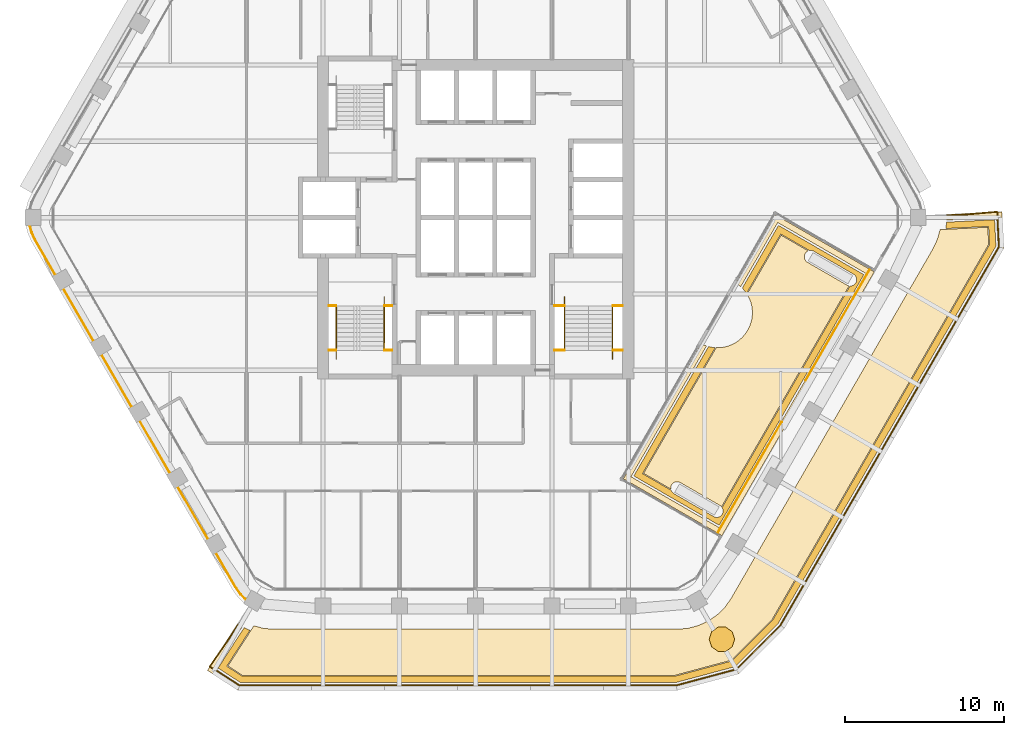
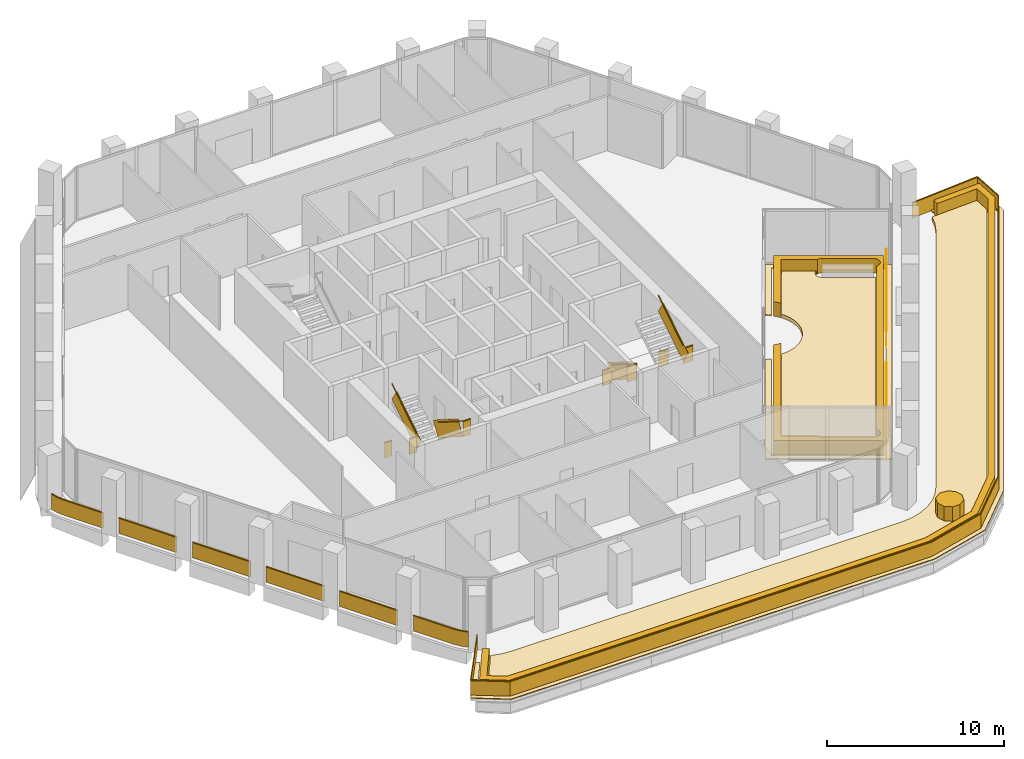
# One storey, part 16 of 17: 7 coverings, 7 railings.
"""IFC4 building model written with IfcOpenShell, lengths in metres."""

from ifc_helpers import new_model, si_unit, direction, frame, frame_2d, origin, origin_2d, place, context, subcontext, project, spatial, polyline, rectangle, outline, extrude, material, layer, layer_set, type_object, element, save


model = new_model("IFC4")

# Units and contexts
model_context = context("Model", 3, precision=1e-05, world=origin(), true_north=direction((0.0, 1.0)))
body_context = subcontext(model_context, "Body", "Model", "MODEL_VIEW")
ifc_project = project(units=[si_unit("LENGTHUNIT", "METRE"), si_unit("AREAUNIT", "SQUARE_METRE"), si_unit("VOLUMEUNIT", "CUBIC_METRE"), si_unit("PLANEANGLEUNIT", "RADIAN"), si_unit("MASSUNIT", "GRAM", prefix="KILO")], contexts=[model_context])

# Site, building, storey
site_placement = place(None, origin())
site = spatial("IfcSite", under=ifc_project, at=site_placement, CompositionType="ELEMENT")
building_placement = place(site_placement, origin())
building = spatial("IfcBuilding", under=site, at=building_placement, Name="Kolab Exchange Tower", CompositionType="ELEMENT")
storey_placement = place(building_placement, frame((0.0, 0.0, 197.300048828125)))
storey = spatial("IfcBuildingStorey", under=building, at=storey_placement, Name="L42", CompositionType="ELEMENT", Elevation=197.300048828125)

# Covering
ifc_material_1 = material(Name="Flowering shrub planting", Category="soil")
ifc_layer_1 = layer(ifc_material_1, 1.0)
ifc_layer_set_1 = layer_set([ifc_layer_1], Name="Flowering shrub planting")
covering_type_1 = type_object("IfcCoveringType", Name="FLOWERING SHRUB PLANTING", PredefinedType="USERDEFINED", material=ifc_layer_set_1)
covering_1_placement = place(storey_placement, frame((0.0, 0.0, 0.25)))
element("IfcCovering", 1, at=covering_1_placement, inside=storey, type_object=covering_type_1, Name="Flowering shrub", ObjectType="PLANTING", PredefinedType="USERDEFINED", context=body_context, shape_type="SweptSolid", body=[
    extrude(outline(polyline([(16.290283203125, -26.52294921875), (16.137451171875, -26.052734375), (15.7373046875, -25.761962890625), (15.242919921875, -25.761962890625), (14.843017578125, -26.052734375), (14.690185546875, -26.52294921875), (14.843017578125, -26.9931640625), (15.242919921875, -27.28369140625), (15.7373046875, -27.28369140625), (16.137451171875, -26.9931640625), (16.290283203125, -26.52294921875)])), origin(), (0.0, 0.0, 1.0), 1.0),
])

# Railings
ifc_material_2 = material(Name="Stainless steel 316", Category="steel")
railing_type_1 = type_object("IfcRailingType", Name="GUARD 1100", PredefinedType="GUARDRAIL", material=ifc_material_2)
railing_1_placement = place(storey_placement, frame((-9.25, -5.550048828125, 0.0)))
element("IfcRailing", 2, at=railing_1_placement, inside=storey, type_object=railing_type_1, Name="Guard ST3", PredefinedType="GUARDRAIL", context=body_context, shape_type="SweptSolid", body=[
    extrude(rectangle(XDim=0.05, YDim=0.05, at=origin_2d()), frame((0.0, 0.0, 1.0751953125), z_axis=(1.0, 0.0, 0.0), x_axis=(0.0, 1.0, 0.0)), (0.0, 0.0, 1.0), 0.489990234375),
    extrude(rectangle(XDim=0.012, YDim=1.05009765625, at=frame_2d((0.0, 0.525146484375))), frame((0.0, 0.0, 0.0), z_axis=(1.0, 0.0, 0.0), x_axis=(0.0, 1.0, 0.0)), (0.0, 0.0, 1.0), 0.489990234375),
    extrude(rectangle(XDim=0.05, YDim=0.05, at=origin_2d()), frame((3.510009765625, 0.0, 1.0751953125), z_axis=(1.0, 0.0, 0.0), x_axis=(0.0, 1.0, 0.0)), (0.0, 0.0, 1.0), 0.489990234375),
    extrude(rectangle(XDim=0.012, YDim=1.05009765625, at=frame_2d((0.0, 0.525146484375))), frame((3.510009765625, 0.0, 0.0), z_axis=(1.0, 0.0, 0.0), x_axis=(0.0, 1.0, 0.0)), (0.0, 0.0, 1.0), 0.489990234375),
    extrude(rectangle(XDim=0.05, YDim=0.05, at=origin_2d()), frame((0.0, -2.800048828125, 3.025146484375), z_axis=(1.0, 0.0, 0.0), x_axis=(0.0, 1.0, 0.0)), (0.0, 0.0, 1.0), 0.489990234375),
    extrude(rectangle(XDim=0.012, YDim=1.05009765625, at=frame_2d((0.0, 0.525146484375))), frame((0.0, -2.800048828125, 1.949951171875), z_axis=(1.0, 0.0, 0.0), x_axis=(0.0, 1.0, 0.0)), (0.0, 0.0, 1.0), 0.489990234375),
    extrude(rectangle(XDim=0.05, YDim=0.05, at=origin_2d()), frame((3.510009765625, -2.800048828125, 3.025146484375), z_axis=(1.0, 0.0, 0.0), x_axis=(0.0, 1.0, 0.0)), (0.0, 0.0, 1.0), 0.489990234375),
    extrude(rectangle(XDim=0.012, YDim=1.05009765625, at=frame_2d((0.0, 0.525146484375))), frame((3.510009765625, -2.800048828125, 1.949951171875), z_axis=(1.0, 0.0, 0.0), x_axis=(0.0, 1.0, 0.0)), (0.0, 0.0, 1.0), 0.489990234375),
])
railing_2_placement = place(storey_placement, frame((-5.739990234375, -5.550048828125, 0.17724609375)))
element("IfcRailing", 3, at=railing_2_placement, inside=storey, type_object=railing_type_1, Name="Handrail guard ST3", PredefinedType="GUARDRAIL", context=body_context, shape_type="SweptSolid", body=[
    extrude(rectangle(XDim=0.05, YDim=0.05, at=origin_2d()), frame((0.0, 0.0, 1.0751953125), z_axis=(0.0, -0.844908973607, 0.534910110503), x_axis=(1.0, 0.0, 0.0)), (0.0, 0.0, 1.0), 3.31396484375),
    extrude(rectangle(XDim=0.012, YDim=1.05009765625, at=frame_2d((0.0, 0.525146484375))), frame((0.0, 0.0, 0.0), z_axis=(0.0, -0.844908973607, 0.534910110503), x_axis=(1.0, 0.0, 0.0)), (0.0, 0.0, 1.0), 3.31396484375),
    extrude(rectangle(XDim=0.05, YDim=0.05, at=origin_2d()), frame((-3.02001953125, -2.800048828125, 3.025146484375), z_axis=(0.0, 0.844908973607, 0.534910110503), x_axis=(-1.0, 0.0, 0.0)), (0.0, 0.0, 1.0), 3.31396484375),
    extrude(rectangle(XDim=0.012, YDim=1.05009765625, at=frame_2d((0.0, 0.525146484375))), frame((-3.02001953125, -2.800048828125, 1.949951171875), z_axis=(0.0, 0.844908973607, 0.534910110503), x_axis=(-1.0, 0.0, 0.0)), (0.0, 0.0, 1.0), 3.31396484375),
])
railing_3_placement = place(storey_placement, frame((4.949951171875, -5.550048828125, 0.0)))
element("IfcRailing", 4, at=railing_3_placement, inside=storey, type_object=railing_type_1, Name="Guard ST2", PredefinedType="GUARDRAIL", context=body_context, shape_type="SweptSolid", body=[
    extrude(rectangle(XDim=0.05, YDim=0.05, at=origin_2d()), frame((0.0, 0.0, 1.0751953125), z_axis=(1.0, 0.0, 0.0), x_axis=(0.0, 1.0, 0.0)), (0.0, 0.0, 1.0), 0.64013671875),
    extrude(rectangle(XDim=0.012, YDim=1.05009765625, at=frame_2d((0.0, 0.525146484375))), frame((0.0, 0.0, 0.0), z_axis=(1.0, 0.0, 0.0), x_axis=(0.0, 1.0, 0.0)), (0.0, 0.0, 1.0), 0.64013671875),
    extrude(rectangle(XDim=0.05, YDim=0.05, at=origin_2d()), frame((3.66015625, 0.0, 1.0751953125), z_axis=(1.0, 0.0, 0.0), x_axis=(0.0, 1.0, 0.0)), (0.0, 0.0, 1.0), 0.639892578125),
    extrude(rectangle(XDim=0.012, YDim=1.05009765625, at=frame_2d((0.0, 0.525146484375))), frame((3.66015625, 0.0, 0.0), z_axis=(1.0, 0.0, 0.0), x_axis=(0.0, 1.0, 0.0)), (0.0, 0.0, 1.0), 0.639892578125),
    extrude(rectangle(XDim=0.05, YDim=0.05, at=origin_2d()), frame((0.0, -2.800048828125, 3.025146484375), z_axis=(1.0, 0.0, 0.0), x_axis=(0.0, 1.0, 0.0)), (0.0, 0.0, 1.0), 0.64013671875),
    extrude(rectangle(XDim=0.012, YDim=1.05009765625, at=frame_2d((0.0, 0.525146484375))), frame((0.0, -2.800048828125, 1.949951171875), z_axis=(1.0, 0.0, 0.0), x_axis=(0.0, 1.0, 0.0)), (0.0, 0.0, 1.0), 0.64013671875),
    extrude(rectangle(XDim=0.05, YDim=0.05, at=origin_2d()), frame((3.66015625, -2.800048828125, 3.025146484375), z_axis=(1.0, 0.0, 0.0), x_axis=(0.0, 1.0, 0.0)), (0.0, 0.0, 1.0), 0.639892578125),
    extrude(rectangle(XDim=0.012, YDim=1.05009765625, at=frame_2d((0.0, 0.525146484375))), frame((3.66015625, -2.800048828125, 1.949951171875), z_axis=(1.0, 0.0, 0.0), x_axis=(0.0, 1.0, 0.0)), (0.0, 0.0, 1.0), 0.639892578125),
])
railing_4_placement = place(storey_placement, frame((5.590087890625, -5.550048828125, 0.17724609375)))
element("IfcRailing", 5, at=railing_4_placement, inside=storey, type_object=railing_type_1, Name="Handrail guard ST2", PredefinedType="GUARDRAIL", context=body_context, shape_type="SweptSolid", body=[
    extrude(rectangle(XDim=0.05, YDim=0.05, at=origin_2d()), frame((0.0, 0.0, 1.0751953125), z_axis=(0.0, -0.844908973607, 0.534910110503), x_axis=(1.0, 0.0, 0.0)), (0.0, 0.0, 1.0), 3.31396484375),
    extrude(rectangle(XDim=0.012, YDim=1.05009765625, at=frame_2d((0.0, 0.525146484375))), frame((0.0, 0.0, 0.0), z_axis=(0.0, -0.844908973607, 0.534910110503), x_axis=(1.0, 0.0, 0.0)), (0.0, 0.0, 1.0), 3.31396484375),
    extrude(rectangle(XDim=0.05, YDim=0.05, at=origin_2d()), frame((3.02001953125, -2.800048828125, 3.025146484375), z_axis=(0.0, 0.844908973607, 0.534910110503), x_axis=(-1.0, 0.0, 0.0)), (0.0, 0.0, 1.0), 3.31396484375),
    extrude(rectangle(XDim=0.012, YDim=1.05009765625, at=frame_2d((0.0, 0.525146484375))), frame((3.02001953125, -2.800048828125, 1.949951171875), z_axis=(0.0, 0.844908973607, 0.534910110503), x_axis=(-1.0, 0.0, 0.0)), (0.0, 0.0, 1.0), 3.31396484375),
])
ifc_material_3 = material(Name="Steel S235", Category="steel")
railing_type_2 = type_object("IfcRailingType", Name="GUARD 1100 GLASS BALUSTRADE AND STEEL TOP RAIL", PredefinedType="GUARDRAIL", material=ifc_material_3)
railing_5_placement = place(storey_placement, frame((-28.038818359375, -0.49755859375, 0.0)))
element("IfcRailing", 6, at=railing_5_placement, inside=storey, type_object=railing_type_2, Name="Guard", PredefinedType="GUARDRAIL", context=body_context, shape_type="SweptSolid", body=[
    extrude(rectangle(XDim=0.05, YDim=0.05, at=origin_2d()), frame((0.0, 0.0, 1.0751953125), z_axis=(0.25865627591, -0.965969425465, 0.0), x_axis=(0.965969425465, 0.25865627591, 0.0)), (0.0, 0.0, 1.0), 0.458740234375),
    extrude(rectangle(XDim=0.012, YDim=1.05009765625, at=frame_2d((0.0, 0.525146484375))), frame((0.0, 0.0, 0.0), z_axis=(0.25865627591, -0.965969425465, 0.0), x_axis=(0.965969425465, 0.25865627591, 0.0)), (0.0, 0.0, 1.0), 0.458740234375),
    extrude(rectangle(XDim=0.05, YDim=0.05, at=origin_2d()), frame((0.11865234375, -0.443115234375, 1.0751953125), z_axis=(0.422801802984, -0.906222177721, 0.0), x_axis=(0.906222177721, 0.422801802984, 0.0)), (0.0, 0.0, 1.0), 0.479248046875),
    extrude(rectangle(XDim=0.012, YDim=1.05009765625, at=frame_2d((0.0, 0.525146484375))), frame((0.11865234375, -0.443115234375, 0.0), z_axis=(0.422801802984, -0.906222177721, 0.0), x_axis=(0.906222177721, 0.422801802984, 0.0)), (0.0, 0.0, 1.0), 0.479248046875),
    extrude(rectangle(XDim=0.05, YDim=0.05, at=origin_2d()), frame((0.3212890625, -0.87744140625, 1.0751953125), z_axis=(0.499994038704, -0.866028845513, 0.0), x_axis=(0.866028845513, 0.499994038704, 0.0)), (0.0, 0.0, 1.0), 2.56787109375),
    extrude(rectangle(XDim=0.012, YDim=1.05009765625, at=frame_2d((0.0, 0.525146484375))), frame((0.3212890625, -0.87744140625, 0.0), z_axis=(0.499994038704, -0.866028845513, 0.0), x_axis=(0.866028845513, 0.499994038704, 0.0)), (0.0, 0.0, 1.0), 2.56787109375),
    extrude(rectangle(XDim=0.05, YDim=0.05, at=origin_2d()), frame((2.105224609375, -3.96728515625, 1.0751953125), z_axis=(0.500015340139, -0.86601654697, 0.0), x_axis=(0.86601654697, 0.500015340139, 0.0)), (0.0, 0.0, 1.0), 3.80029296875),
    extrude(rectangle(XDim=0.012, YDim=1.05009765625, at=frame_2d((0.0, 0.525146484375))), frame((2.105224609375, -3.96728515625, 0.0), z_axis=(0.500015340139, -0.86601654697, 0.0), x_axis=(0.86601654697, 0.500015340139, 0.0)), (0.0, 0.0, 1.0), 3.80029296875),
    extrude(rectangle(XDim=0.05, YDim=0.05, at=origin_2d()), frame((4.50537109375, -8.124267578125, 1.0751953125), z_axis=(0.499967155389, -0.866044365799, 0.0), x_axis=(0.866044365799, 0.499967155389, 0.0)), (0.0, 0.0, 1.0), 3.800048828125),
    extrude(rectangle(XDim=0.012, YDim=1.05009765625, at=frame_2d((0.0, 0.525146484375))), frame((4.50537109375, -8.124267578125, 0.0), z_axis=(0.499967155389, -0.866044365799, 0.0), x_axis=(0.866044365799, 0.499967155389, 0.0)), (0.0, 0.0, 1.0), 3.800048828125),
    extrude(rectangle(XDim=0.05, YDim=0.05, at=origin_2d()), frame((6.9052734375, -12.28125, 1.0751953125), z_axis=(0.500043160704, -0.866000483506, 0.0), x_axis=(0.866000483506, 0.500043160704, 0.0)), (0.0, 0.0, 1.0), 3.800048828125),
    extrude(rectangle(XDim=0.012, YDim=1.05009765625, at=frame_2d((0.0, 0.525146484375))), frame((6.9052734375, -12.28125, 0.0), z_axis=(0.500043160704, -0.866000483506, 0.0), x_axis=(0.866000483506, 0.500043160704, 0.0)), (0.0, 0.0, 1.0), 3.800048828125),
    extrude(rectangle(XDim=0.05, YDim=0.05, at=origin_2d()), frame((9.305419921875, -16.438232421875, 1.0751953125), z_axis=(0.499994975061, -0.866028304915, 0.0), x_axis=(0.866028304915, 0.499994975061, 0.0)), (0.0, 0.0, 1.0), 3.7998046875),
    extrude(rectangle(XDim=0.012, YDim=1.05009765625, at=frame_2d((0.0, 0.525146484375))), frame((9.305419921875, -16.438232421875, 0.0), z_axis=(0.499994975061, -0.866028304915, 0.0), x_axis=(0.866028304915, 0.499994975061, 0.0)), (0.0, 0.0, 1.0), 3.7998046875),
    extrude(rectangle(XDim=0.05, YDim=0.05, at=origin_2d()), frame((11.705322265625, -20.594970703125, 1.0751953125), z_axis=(0.499952873616, -0.866052610505, 0.0), x_axis=(0.866052610505, 0.499952873616, 0.0)), (0.0, 0.0, 1.0), 2.568115234375),
    extrude(rectangle(XDim=0.012, YDim=1.05009765625, at=frame_2d((0.0, 0.525146484375))), frame((11.705322265625, -20.594970703125, 0.0), z_axis=(0.499952873616, -0.866052610505, 0.0), x_axis=(0.866052610505, 0.499952873616, 0.0)), (0.0, 0.0, 1.0), 2.568115234375),
    extrude(rectangle(XDim=0.05, YDim=0.05, at=origin_2d()), frame((12.9892578125, -22.819091796875, 1.0751953125), z_axis=(0.573599091554, -0.819136180478, 0.0), x_axis=(0.819136180478, 0.573599091554, 0.0)), (0.0, 0.0, 1.0), 0.479248046875),
    extrude(rectangle(XDim=0.012, YDim=1.05009765625, at=frame_2d((0.0, 0.525146484375))), frame((12.9892578125, -22.819091796875, 0.0), z_axis=(0.573599091554, -0.819136180478, 0.0), x_axis=(0.819136180478, 0.573599091554, 0.0)), (0.0, 0.0, 1.0), 0.479248046875),
    extrude(rectangle(XDim=0.05, YDim=0.05, at=origin_2d()), frame((13.26416015625, -23.211669921875, 1.0751953125), z_axis=(0.70737286085, -0.706840601361, 0.0), x_axis=(0.706840601361, 0.70737286085, 0.0)), (0.0, 0.0, 1.0), 0.458740234375),
    extrude(rectangle(XDim=0.012, YDim=1.05009765625, at=frame_2d((0.0, 0.525146484375))), frame((13.26416015625, -23.211669921875, 0.0), z_axis=(0.70737286085, -0.706840601361, 0.0), x_axis=(0.706840601361, 0.70737286085, 0.0)), (0.0, 0.0, 1.0), 0.458740234375),
])
railing_6_placement = place(storey_placement, frame((28.3359375, 0.0, 0.0)))
element("IfcRailing", 7, at=railing_6_placement, inside=storey, type_object=railing_type_2, Name="Terrace guard", PredefinedType="GUARDRAIL", context=body_context, shape_type="SweptSolid", body=[
    extrude(rectangle(XDim=0.05, YDim=0.05, at=origin_2d()), frame((0.0, 0.0, 1.0751953125), z_axis=(0.996530389676, 0.083229696942, 0.0), x_axis=(-0.083229696942, 0.996530389676, 0.0)), (0.0, 0.0, 1.0), 4.496826171875),
    extrude(rectangle(XDim=0.012, YDim=1.05009765625, at=frame_2d((0.0, 0.525146484375))), frame((0.0, 0.0, 0.0), z_axis=(0.996530389676, 0.083229696942, 0.0), x_axis=(-0.083229696942, 0.996530389676, 0.0)), (0.0, 0.0, 1.0), 4.496826171875),
    extrude(rectangle(XDim=0.05, YDim=0.05, at=origin_2d()), frame((4.481201171875, 0.374267578125, 1.0751953125), z_axis=(0.050003246507, -0.998749055238, 0.0), x_axis=(0.998749055238, 0.050003246507, 0.0)), (0.0, 0.0, 1.0), 2.226318359375),
    extrude(rectangle(XDim=0.012, YDim=1.05009765625, at=frame_2d((0.0, 0.525146484375))), frame((4.481201171875, 0.374267578125, 0.0), z_axis=(0.050003246507, -0.998749055238, 0.0), x_axis=(0.998749055238, 0.050003246507, 0.0)), (0.0, 0.0, 1.0), 2.226318359375),
    extrude(rectangle(XDim=0.05, YDim=0.05, at=origin_2d()), frame((4.592529296875, -1.849365234375, 1.0751953125), z_axis=(-0.500003555397, -0.866023351065, 0.0), x_axis=(0.866023351065, -0.500003555397, 0.0)), (0.0, 0.0, 1.0), 27.490966796875),
    extrude(rectangle(XDim=0.012, YDim=1.05009765625, at=frame_2d((0.0, 0.525146484375))), frame((4.592529296875, -1.849365234375, 0.0), z_axis=(-0.500003555397, -0.866023351065, 0.0), x_axis=(0.866023351065, -0.500003555397, 0.0)), (0.0, 0.0, 1.0), 27.490966796875),
    extrude(rectangle(XDim=0.05, YDim=0.05, at=origin_2d()), frame((-9.153076171875, -25.6572265625, 1.0751953125), z_axis=(-0.707106781187, -0.707106781187, 0.0), x_axis=(0.707106781187, -0.707106781187, 0.0)), (0.0, 0.0, 1.0), 3.917724609375),
    extrude(rectangle(XDim=0.012, YDim=1.05009765625, at=frame_2d((0.0, 0.525146484375))), frame((-9.153076171875, -25.6572265625, 0.0), z_axis=(-0.707106781187, -0.707106781187, 0.0), x_axis=(0.707106781187, -0.707106781187, 0.0)), (0.0, 0.0, 1.0), 3.917724609375),
    extrude(rectangle(XDim=0.05, YDim=0.05, at=origin_2d()), frame((-11.92333984375, -28.427490234375, 1.0751953125), z_axis=(-0.965929136584, -0.258806690596, 0.0), x_axis=(0.258806690596, -0.965929136584, 0.0)), (0.0, 0.0, 1.0), 3.917724609375),
    extrude(rectangle(XDim=0.012, YDim=1.05009765625, at=frame_2d((0.0, 0.525146484375))), frame((-11.92333984375, -28.427490234375, 0.0), z_axis=(-0.965929136584, -0.258806690596, 0.0), x_axis=(0.258806690596, -0.965929136584, 0.0)), (0.0, 0.0, 1.0), 3.917724609375),
    extrude(rectangle(XDim=0.05, YDim=0.05, at=origin_2d()), frame((-15.70751953125, -29.44140625, 1.0751953125), z_axis=(-1.0, 0.0, 0.0), x_axis=(0.0, -1.0, 0.0)), (0.0, 0.0, 1.0), 27.490966796875),
    extrude(rectangle(XDim=0.012, YDim=1.05009765625, at=frame_2d((0.0, 0.525146484375))), frame((-15.70751953125, -29.44140625, 0.0), z_axis=(-1.0, 0.0, 0.0), x_axis=(0.0, -1.0, 0.0)), (0.0, 0.0, 1.0), 27.490966796875),
    extrude(rectangle(XDim=0.05, YDim=0.05, at=origin_2d()), frame((-43.198486328125, -29.44140625, 1.0751953125), z_axis=(-0.839993562867, 0.542596364108, 0.0), x_axis=(-0.542596364108, -0.839993562867, 0.0)), (0.0, 0.0, 1.0), 2.226318359375),
    extrude(rectangle(XDim=0.012, YDim=1.05009765625, at=frame_2d((0.0, 0.525146484375))), frame((-43.198486328125, -29.44140625, 0.0), z_axis=(-0.839993562867, 0.542596364108, 0.0), x_axis=(-0.542596364108, -0.839993562867, 0.0)), (0.0, 0.0, 1.0), 2.226318359375),
    extrude(rectangle(XDim=0.05, YDim=0.05, at=origin_2d()), frame((-45.068603515625, -28.2333984375, 1.0751953125), z_axis=(0.570324587803, 0.821419420605, 0.0), x_axis=(-0.821419420605, 0.570324587803, 0.0)), (0.0, 0.0, 1.0), 4.496826171875),
    extrude(rectangle(XDim=0.012, YDim=1.05009765625, at=frame_2d((0.0, 0.525146484375))), frame((-45.068603515625, -28.2333984375, 0.0), z_axis=(0.570324587803, 0.821419420605, 0.0), x_axis=(-0.821419420605, 0.570324587803, 0.0)), (0.0, 0.0, 1.0), 4.496826171875),
])
railing_7_placement = place(storey_placement, frame((24.81787109375, -3.197265625, 0.0)))
element("IfcRailing", 8, at=railing_7_placement, inside=storey, type_object=railing_type_2, Name="Terrace guard", PredefinedType="GUARDRAIL", context=body_context, shape_type="SweptSolid", body=[
    extrude(rectangle(XDim=0.05, YDim=0.05, at=origin_2d()), frame((0.0, 0.0, 1.0751953125), z_axis=(-0.500000246922, -0.866025261224, 0.0), x_axis=(0.866025261224, -0.500000246922, 0.0)), (0.0, 0.0, 1.0), 8.14013671875),
    extrude(rectangle(XDim=0.012, YDim=1.05009765625, at=frame_2d((0.0, 0.525146484375))), frame((0.0, 0.0, 0.0), z_axis=(-0.500000246922, -0.866025261224, 0.0), x_axis=(0.866025261224, -0.500000246922, 0.0)), (0.0, 0.0, 1.0), 8.14013671875),
    extrude(rectangle(XDim=0.05, YDim=0.05, at=origin_2d()), frame((-9.64013671875, -16.697021484375, 1.0751953125), z_axis=(0.500000246922, 0.866025261224, 0.0), x_axis=(-0.866025261224, 0.500000246922, 0.0)), (0.0, 0.0, 1.0), 8.14013671875),
    extrude(rectangle(XDim=0.012, YDim=1.05009765625, at=frame_2d((0.0, 0.525146484375))), frame((-9.64013671875, -16.697021484375, 0.0), z_axis=(0.500000246922, 0.866025261224, 0.0), x_axis=(-0.866025261224, 0.500000246922, 0.0)), (0.0, 0.0, 1.0), 8.14013671875),
])

# Coverings
ifc_material_4 = material(Name="Planting soil and turf", Category="soil")
ifc_layer_2 = layer(ifc_material_4, 0.25)
ifc_layer_set_2 = layer_set([ifc_layer_2], Name="Planting soil and turf")
covering_type_2 = type_object("IfcCoveringType", Name="PLANTING SOIL AND TURF 250", PredefinedType="USERDEFINED", material=ifc_layer_set_2)
covering_2_placement = place(storey_placement, origin())
element("IfcCovering", 9, at=covering_2_placement, inside=storey, type_object=covering_type_2, Name="Planting soil and turf", ObjectType="PLANTING", PredefinedType="USERDEFINED", context=body_context, shape_type="SweptSolid", body=[
    extrude(outline(polyline([(20.92626953125, -2.09375), (20.89453125, -2.107421875), (20.8603515625, -2.12646484375), (20.827880859375, -2.14892578125), (20.798095703125, -2.17431640625), (20.770751953125, -2.202392578125), (20.746337890625, -2.233154296875), (20.72509765625, -2.26611328125), (20.707275390625, -2.301025390625), (20.692626953125, -2.337646484375), (20.681884765625, -2.375244140625), (20.6748046875, -2.4140625), (20.671630859375, -2.453125), (20.67236328125, -2.492431640625), (20.6767578125, -2.53125), (20.68505859375, -2.569580078125), (20.697021484375, -2.60693359375), (20.712646484375, -2.64306640625), (20.73193359375, -2.677490234375), (20.754150390625, -2.709716796875), (20.779541015625, -2.739501953125), (20.807861328125, -2.766845703125), (20.838623046875, -2.791259765625), (20.87158203125, -2.8125), (23.36572265625, -4.25244140625), (23.400634765625, -4.2705078125), (23.43701171875, -4.284912109375), (23.474853515625, -4.295654296875), (23.4892578125, -4.29833984375), (15.467041015625, -18.193115234375), (15.45751953125, -18.181884765625), (15.429443359375, -18.154541015625), (15.398681640625, -18.130126953125), (15.36572265625, -18.10888671875), (12.87158203125, -16.6689453125), (12.836669921875, -16.651123046875), (12.800048828125, -16.63671875), (12.762451171875, -16.625732421875), (12.7236328125, -16.618896484375), (12.6845703125, -16.615478515625), (12.645263671875, -16.6162109375), (12.6064453125, -16.62060546875), (12.56787109375, -16.62890625), (12.530517578125, -16.64111328125), (12.49462890625, -16.65673828125), (12.460205078125, -16.67578125), (12.427978515625, -16.697998046875), (12.39794921875, -16.723388671875), (12.370849609375, -16.751708984375), (12.346435546875, -16.782470703125), (12.3251953125, -16.8154296875), (12.30712890625, -16.850341796875), (12.292724609375, -16.88671875), (12.281982421875, -16.924560546875), (12.27490234375, -16.963134765625), (12.271728515625, -17.002197265625), (12.2724609375, -17.04150390625), (12.2763671875, -17.075927734375), (10.563232421875, -16.0869140625), (15.127685546875, -8.18115234375), (15.206298828125, -8.18505859375), (15.421875, -8.17431640625), (15.635498046875, -8.142822265625), (15.844970703125, -8.09033203125), (16.048095703125, -8.017578125), (16.243408203125, -7.92529296875), (16.428466796875, -7.814208984375), (16.60205078125, -7.685546875), (16.761962890625, -7.54052734375), (16.906982421875, -7.380615234375), (17.03564453125, -7.207275390625), (17.146484375, -7.02197265625), (17.23876953125, -6.826904296875), (17.3115234375, -6.62353515625), (17.364013671875, -6.4140625), (17.395751953125, -6.20068359375), (17.40625, -5.98486328125), (17.395751953125, -5.769287109375), (17.364013671875, -5.5556640625), (17.3115234375, -5.346435546875), (17.23876953125, -5.14306640625), (17.146484375, -4.947998046875), (17.069091796875, -4.818603515625), (19.21337890625, -1.104736328125), (20.92626953125, -2.09375)])), origin(), (0.0, 0.0, 1.0), 0.25),
])
covering_3_placement = place(storey_placement, origin())
element("IfcCovering", 10, at=covering_3_placement, inside=storey, type_object=covering_type_2, Name="Planting soil and turf", ObjectType="PLANTING", PredefinedType="USERDEFINED", context=body_context, shape_type="SweptSolid", body=[
    extrude(outline(polyline([(-13.3544921875, -25.835205078125), (-12.709228515625, -25.8916015625), (12.709228515625, -25.8916015625), (13.3544921875, -25.835205078125), (14.020263671875, -25.65673828125), (14.644775390625, -25.365478515625), (15.209228515625, -24.97021484375), (15.69677734375, -24.48291015625), (16.068115234375, -23.952392578125), (28.77734375, -1.939208984375), (29.051025390625, -1.352294921875), (29.21044921875, -0.75732421875), (32.215576171875, -0.60693359375), (32.269775390625, -1.6904296875), (18.66259765625, -25.25830078125), (16.076171875, -27.8447265625), (12.542724609375, -28.79150390625), (-14.6708984375, -28.79150390625), (-15.58203125, -28.202880859375), (-13.94921875, -25.67578125), (-13.3544921875, -25.835205078125)])), origin(), (0.0, 0.0, 1.0), 0.25),
])
ifc_material_5 = material(Name="Limestone coping", Category="masonry")
ifc_layer_3 = layer(ifc_material_5, 0.050048828125)
ifc_layer_set_3 = layer_set([ifc_layer_3], Name="Limestone coping")
covering_type_3 = type_object("IfcCoveringType", Name="TERRACE EDGE BAND LIMESTONE 50", PredefinedType="CLADDING", material=ifc_layer_set_3)
covering_4_placement = place(storey_placement, origin())
element("IfcCovering", 11, at=covering_4_placement, inside=storey, type_object=covering_type_3, Name="Terrace edge band", PredefinedType="CLADDING", context=body_context, shape_type="SweptSolid", body=[
    extrude(outline(polyline([(15.49365234375, -20.00732421875), (9.29296875, -16.42724609375), (14.194580078125, -7.937255859375), (14.364501953125, -8.017578125), (14.520263671875, -8.0732421875), (9.77099609375, -16.299072265625), (15.365478515625, -19.529296875), (24.595458984375, -3.542236328125), (19.0009765625, -0.312255859375), (16.67138671875, -4.347412109375), (16.60205078125, -4.284423828125), (16.428466796875, -4.15576171875), (16.390869140625, -4.13330078125), (18.872802734375, 0.165771484375), (25.07373046875, -3.414306640625), (15.49365234375, -20.00732421875)])), origin(), (0.0, 0.0, 1.0), 0.050048828125),
])
covering_5_placement = place(storey_placement, origin())
element("IfcCovering", 12, at=covering_5_placement, inside=storey, type_object=covering_type_3, Name="Terrace edge band", PredefinedType="CLADDING", context=body_context, shape_type="SweptSolid", body=[
    extrude(outline(polyline([(33.212158203125, -1.917724609375), (19.406982421875, -25.8291015625), (16.5576171875, -28.678466796875), (12.665283203125, -29.721435546875), (-14.9453125, -29.721435546875), (-16.867919921875, -28.4794921875), (-14.980224609375, -25.557861328125), (-14.91357421875, -25.6044921875), (-14.81787109375, -25.66552734375), (-14.71728515625, -25.7177734375), (-14.6787109375, -25.73583984375), (-16.384033203125, -28.37548828125), (-14.842041015625, -29.37158203125), (12.619140625, -29.37158203125), (16.37646484375, -28.36474609375), (19.126708984375, -25.6142578125), (32.857421875, -1.832275390625), (32.765869140625, 0.001220703125), (29.627197265625, -0.15576171875), (29.630859375, -0.11328125), (29.635986328125, 0.0), (29.630859375, 0.11328125), (29.623779296875, 0.194580078125), (33.097900390625, 0.368408203125), (33.212158203125, -1.917724609375)])), origin(), (0.0, 0.0, 1.0), 0.050048828125),
])
ifc_material_6 = material(Name="Terrace hedge planting", Category="soil")
ifc_layer_4 = layer(ifc_material_6, 1.0)
ifc_layer_set_4 = layer_set([ifc_layer_4], Name="Terrace hedge planting")
covering_type_4 = type_object("IfcCoveringType", Name="TERRACE HEDGE 1000 X 400", PredefinedType="USERDEFINED", material=ifc_layer_set_4)
covering_6_placement = place(storey_placement, origin())
element("IfcCovering", 13, at=covering_6_placement, inside=storey, type_object=covering_type_4, Name="Terrace hedge", ObjectType="PLANTING", PredefinedType="USERDEFINED", context=body_context, shape_type="SweptSolid", body=[
    extrude(outline(polyline([(15.31787109375, -19.3515625), (9.948486328125, -16.251708984375), (14.64892578125, -8.110595703125), (14.777099609375, -8.142822265625), (14.99072265625, -8.17431640625), (15.071533203125, -8.178466796875), (10.4951171875, -16.105224609375), (12.29296875, -17.143310546875), (12.297119140625, -17.15625), (12.312744140625, -17.1923828125), (12.331787109375, -17.2265625), (12.354248046875, -17.2587890625), (12.379638671875, -17.288818359375), (12.40771484375, -17.316162109375), (12.4384765625, -17.340576171875), (12.471435546875, -17.36181640625), (14.965576171875, -18.8017578125), (15.00048828125, -18.81982421875), (15.037109375, -18.834228515625), (15.07470703125, -18.844970703125), (15.113525390625, -18.85205078125), (15.152587890625, -18.855224609375), (15.19189453125, -18.8544921875), (15.230712890625, -18.85009765625), (15.269287109375, -18.841796875), (15.306640625, -18.829833984375), (15.342529296875, -18.814208984375), (15.376953125, -18.795166015625), (15.4091796875, -18.772705078125), (15.439208984375, -18.747314453125), (15.46630859375, -18.71923828125), (15.49072265625, -18.6884765625), (15.511962890625, -18.6552734375), (15.530029296875, -18.620361328125), (15.54443359375, -18.583984375), (15.55517578125, -18.546142578125), (15.562255859375, -18.507568359375), (15.5654296875, -18.468505859375), (15.564697265625, -18.42919921875), (15.560302734375, -18.39013671875), (15.552001953125, -18.351806640625), (15.5400390625, -18.314453125), (15.5244140625, -18.278564453125), (15.50537109375, -18.244140625), (15.5, -18.236328125), (23.543212890625, -4.30517578125), (23.552490234375, -4.305908203125), (23.591796875, -4.30517578125), (23.630859375, -4.30078125), (23.669189453125, -4.29248046875), (23.70654296875, -4.280517578125), (23.74267578125, -4.264892578125), (23.77685546875, -4.245849609375), (23.80908203125, -4.223388671875), (23.839111328125, -4.197998046875), (23.866455078125, -4.169921875), (23.890869140625, -4.13916015625), (23.912109375, -4.106201171875), (23.929931640625, -4.0712890625), (23.9443359375, -4.03466796875), (23.955322265625, -3.9970703125), (23.962158203125, -3.958251953125), (23.96533203125, -3.919189453125), (23.96484375, -3.8798828125), (23.960205078125, -3.841064453125), (23.951904296875, -3.802734375), (23.93994140625, -3.76513671875), (23.92431640625, -3.729248046875), (23.9052734375, -3.69482421875), (23.883056640625, -3.66259765625), (23.857666015625, -3.6328125), (23.829345703125, -3.60546875), (23.798583984375, -3.5810546875), (23.765625, -3.559814453125), (21.271484375, -2.11962890625), (21.236572265625, -2.101806640625), (21.2001953125, -2.08740234375), (21.162353515625, -2.07666015625), (21.123779296875, -2.069580078125), (21.08447265625, -2.06640625), (21.04541015625, -2.06689453125), (21.00634765625, -2.071533203125), (20.992919921875, -2.074462890625), (19.195068359375, -1.036376953125), (17.03955078125, -4.76953125), (17.03564453125, -4.7626953125), (16.906982421875, -4.58935546875), (16.769287109375, -4.4375), (19.048583984375, -0.489990234375), (24.41796875, -3.58984375), (15.31787109375, -19.3515625)])), origin(), (0.0, 0.0, 1.0), 1.0),
])
covering_7_placement = place(storey_placement, origin())
element("IfcCovering", 14, at=covering_7_placement, inside=storey, type_object=covering_type_4, Name="Terrace hedge", ObjectType="PLANTING", PredefinedType="USERDEFINED", context=body_context, shape_type="SweptSolid", body=[
    extrude(outline(polyline([(32.642333984375, -0.135009765625), (32.725830078125, -1.80029296875), (19.022705078125, -25.534423828125), (16.30908203125, -28.248291015625), (12.60205078125, -29.241455078125), (-14.8037109375, -29.241455078125), (-16.2041015625, -28.336669921875), (-14.559814453125, -25.791259765625), (-14.243408203125, -25.938720703125), (-14.1923828125, -25.9599609375), (-15.651123046875, -28.2177734375), (-14.685791015625, -28.841552734375), (12.54931640625, -28.841552734375), (16.10205078125, -27.8896484375), (18.70263671875, -25.288818359375), (32.3203125, -1.70263671875), (32.262939453125, -0.554443359375), (29.578125, -0.68896484375), (29.58544921875, -0.63427734375), (29.61572265625, -0.28662109375), (32.642333984375, -0.135009765625)])), origin(), (0.0, 0.0, 1.0), 1.0),
])

save(model, "model.ifc")
